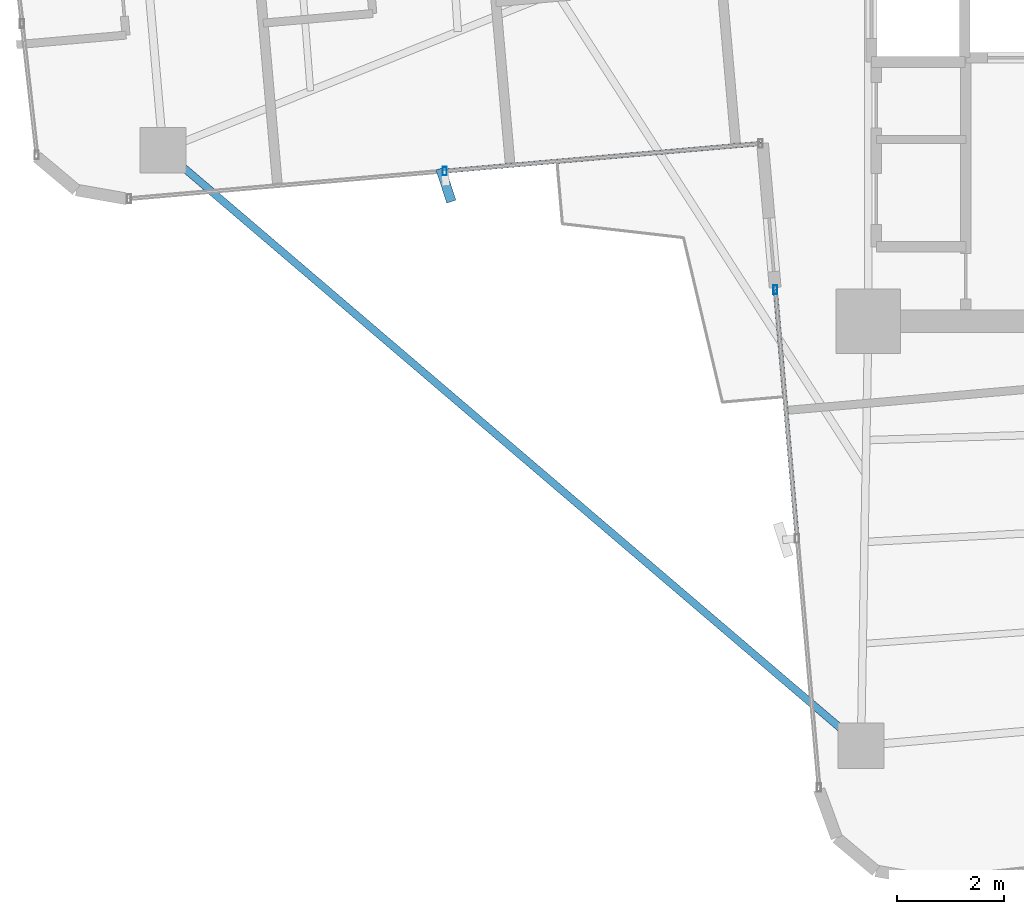
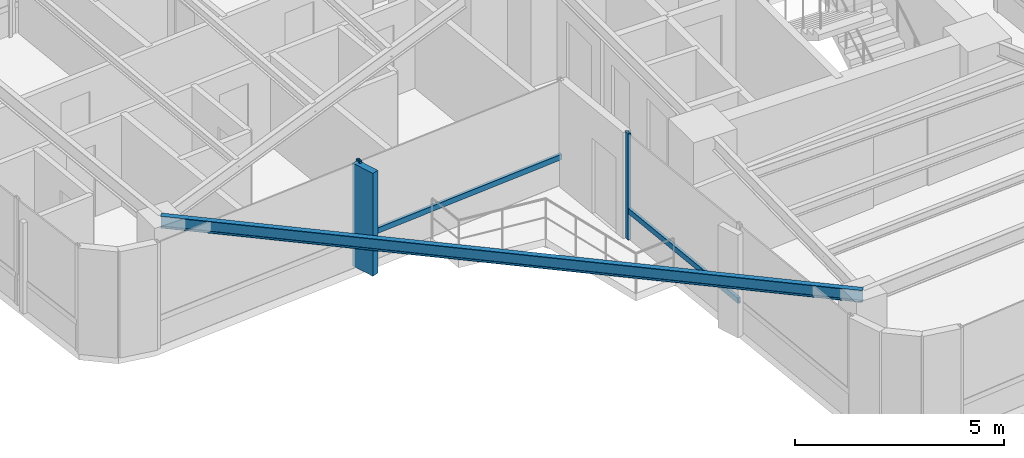
# One storey, part 4 of 24: 5 members, 1 beam, 2 elements without a shape of their own.
"""IFC4 building model written with IfcOpenShell, lengths in metres."""

from ifc_helpers import new_model, si_unit, direction, frame, origin, origin_2d, place, context, subcontext, project, spatial, rectangle, hollow_rectangle, i_section, extrude, source, transform, mapped, material, material_profile, profile_set, type_object, element, aggregate, save


model = new_model("IFC4")

# Units and contexts
model_context = context("Model", 3, precision=1e-05, world=origin(), true_north=direction((0.0, 1.0)))
body_context = subcontext(model_context, "Body", "Model", "MODEL_VIEW")
ifc_project = project(units=[si_unit("LENGTHUNIT", "METRE"), si_unit("AREAUNIT", "SQUARE_METRE"), si_unit("VOLUMEUNIT", "CUBIC_METRE"), si_unit("PLANEANGLEUNIT", "RADIAN"), si_unit("MASSUNIT", "GRAM", prefix="KILO")], contexts=[model_context])

# Site, building, storey
site_placement = place(None, origin())
site = spatial("IfcSite", under=ifc_project, at=site_placement, CompositionType="ELEMENT")
building_placement = place(site_placement, origin())
building = spatial("IfcBuilding", under=site, at=building_placement, Name="Sahyath Konkavel Grand Hotel", CompositionType="ELEMENT")
storey_placement = place(building_placement, frame((0.0, 0.0, 178.550048828125)))
storey = spatial("IfcBuildingStorey", under=building, at=storey_placement, Name="L49", CompositionType="ELEMENT", Elevation=178.550048828125)

# Beam
ifc_material_1 = material(Name="Steel E350", Category="steel")
ifc_material_profile_1 = material_profile(ifc_material_1, i_section(OverallWidth=0.139892578125, OverallDepth=0.35009765625, WebThickness=0.008056640625, FlangeThickness=0.01416015625, FilletRadius=0.013916015625, at=origin_2d()), Name="ISMB 350")
ifc_profile_set_1 = profile_set([ifc_material_profile_1], Name="Steel E350")
beam_type = type_object("IfcBeamType", Name="BM-ISMB350", PredefinedType="BEAM", material=ifc_profile_set_1)
shared_shape_1 = source(origin(), body_context, "Body", "SweptSolid", [
    extrude(i_section(OverallWidth=0.139892578125, OverallDepth=0.35009765625, WebThickness=0.008056640625, FlangeThickness=0.01416015625, FilletRadius=0.013916015625, at=origin_2d()), origin(), (0.0, 0.0, 1.0), 17.11279296875),
])
beam_placement = place(storey_placement, frame((-16.9541015625, -7.00439453125, 2.93505859375), z_axis=(0.760711911164, -0.649089661151, 0.0), x_axis=(0.649089661151, 0.760711911164, 0.0)))
element("IfcBeam", 1, at=beam_placement, inside=storey, type_object=beam_type, Name="L49 Re-Entrant Tie Beam SW", PredefinedType="BEAM", context=body_context, shape_type="MappedRepresentation", body=[
    mapped(shared_shape_1, transform((0.0, 0.0, 0.0), scale=1.0)),
])

# Curtain wall, member
ifc_material_2 = material(Name="Anodised Bronze Aluminium & Low-E Glazing", Category="aluminium")
curtain_wall_type = type_object("IfcCurtainWallType", Name="CW-ZONE3", PredefinedType="NOTDEFINED", material=ifc_material_2)
curtain_wall_1_placement = place(storey_placement, origin())
curtain_wall_1 = element("IfcCurtainWall", 2, at=curtain_wall_1_placement, inside=storey, type_object=curtain_wall_type, Name="L49 Unitised Curtain Wall F23", PredefinedType="NOTDEFINED")
ifc_material_3 = material(Name="Anodised Bronze Aluminium", Category="aluminium")
ifc_material_profile_2 = material_profile(ifc_material_3, hollow_rectangle(XDim=0.080078125, YDim=0.159912109375, WallThickness=0.006103515625, at=origin_2d()), Name="RHS 160x80x6")
ifc_profile_set_2 = profile_set([ifc_material_profile_2], Name="Anodised Bronze Aluminium")
member_type_1 = type_object("IfcMemberType", Name="CW-MUL-160", PredefinedType="MULLION", material=ifc_profile_set_2)
shared_shape_2 = source(origin(), body_context, "Body", "SweptSolid", [
    extrude(hollow_rectangle(XDim=0.080078125, YDim=0.159912109375, WallThickness=0.006103515625, at=origin_2d()), origin(), (0.0, 0.0, 1.0), 3.10986328125),
])
member_1_placement = place(storey_placement, frame((-11.69970703125, -7.39794921875, 0.0), z_axis=(0.0, 0.0, 1.0), x_axis=(1.0, 0.0, 0.0)))
member_1 = element("IfcMember", 3, at=member_1_placement, type_object=member_type_1, Name="L49 Curtain Wall Mullion F23-1", PredefinedType="MULLION", context=body_context, shape_type="MappedRepresentation", body=[
    mapped(shared_shape_2, transform((0.0, 0.0, 0.0), scale=1.0)),
])

curtain_wall_2_placement = place(storey_placement, origin())
curtain_wall_2 = element("IfcCurtainWall", 4, at=curtain_wall_2_placement, inside=storey, type_object=curtain_wall_type, Name="L49 Unitised Curtain Wall F24", PredefinedType="NOTDEFINED")
member_2_placement = place(storey_placement, frame((-5.53369140625, -9.60888671875, 0.0), z_axis=(0.0, 0.0, 1.0), x_axis=(1.0, 0.0, 0.0)))
member_2 = element("IfcMember", 5, at=member_2_placement, type_object=member_type_1, Name="L49 Curtain Wall Mullion F24-0", PredefinedType="MULLION", context=body_context, shape_type="MappedRepresentation", body=[
    mapped(shared_shape_2, transform((0.0, 0.0, 0.0), scale=1.0)),
])

# Member
ifc_material_4 = material(Name="Warm Buff Sandstone Cladding on Concrete C50/60", Category="masonry")
ifc_material_profile_3 = material_profile(ifc_material_4, rectangle(XDim=0.179931640625, YDim=0.64990234375, at=origin_2d()), Name="FIN 180x650")
ifc_profile_set_3 = profile_set([ifc_material_profile_3], Name="Warm Buff Sandstone Cladding on Concrete C50/60")
member_type_2 = type_object("IfcMemberType", Name="FIN-SANDSTONE-650", PredefinedType="MULLION", material=ifc_profile_set_3)
shared_shape_3 = source(origin(), body_context, "Body", "SweptSolid", [
    extrude(rectangle(XDim=0.179931640625, YDim=0.64990234375, at=origin_2d()), origin(), (0.0, 0.0, 1.0), 3.010009765625),
])
member_3_placement = place(storey_placement, frame((-11.677001953125, -7.656982421875, 0.050048828125), z_axis=(0.0, 0.0, 1.0), x_axis=(0.951487058208, 0.307688768178, 0.0)))
member_3 = element("IfcMember", 6, at=member_3_placement, type_object=member_type_2, Name="L49 Sandstone Vertical Solar Fin FIN F23-1", PredefinedType="MULLION", context=body_context, shape_type="MappedRepresentation", body=[
    mapped(shared_shape_3, transform((0.0, 0.0, 0.0), scale=1.0)),
])

ifc_material_profile_4 = material_profile(ifc_material_3, hollow_rectangle(XDim=0.080078125, YDim=0.159912109375, WallThickness=0.006103515625, at=origin_2d()), Name="RHS 160x80x6")
ifc_profile_set_4 = profile_set([ifc_material_profile_4], Name="Anodised Bronze Aluminium")
member_type_3 = type_object("IfcMemberType", Name="CW-TRN-160", PredefinedType="USERDEFINED", material=ifc_profile_set_4)
shared_shape_4 = source(origin(), body_context, "Body", "SweptSolid", [
    extrude(hollow_rectangle(XDim=0.080078125, YDim=0.159912109375, WallThickness=0.006103515625, at=origin_2d()), origin(), (0.0, 0.0, 1.0), 5.909912109375),
])
member_4_placement = place(storey_placement, frame((-11.69970703125, -7.39794921875, 0.849853515625), z_axis=(0.996193941691, 0.087164388014, 0.0), x_axis=(-0.087164388014, 0.996193941691, 0.0)))
member_4 = element("IfcMember", 7, at=member_4_placement, type_object=member_type_3, Name="L49 Curtain Wall Transom F23-1-spandrel", ObjectType="TRANSOM", PredefinedType="USERDEFINED", context=body_context, shape_type="MappedRepresentation", body=[
    mapped(shared_shape_4, transform((0.0, 0.0, 0.0), scale=1.0)),
])

aggregate(curtain_wall_1, [member_1, member_3, member_4])

shared_shape_5 = source(origin(), body_context, "Body", "SweptSolid", [
    extrude(hollow_rectangle(XDim=0.080078125, YDim=0.159912109375, WallThickness=0.006103515625, at=origin_2d()), origin(), (0.0, 0.0, 1.0), 4.66015625),
])
member_5_placement = place(storey_placement, frame((-5.53369140625, -9.60888671875, 0.849853515625), z_axis=(0.087176698736, -0.996192864458, 0.0), x_axis=(0.996192864458, 0.087176698736, 0.0)))
member_5 = element("IfcMember", 8, at=member_5_placement, type_object=member_type_3, Name="L49 Curtain Wall Transom F24-0-spandrel", ObjectType="TRANSOM", PredefinedType="USERDEFINED", context=body_context, shape_type="MappedRepresentation", body=[
    mapped(shared_shape_5, transform((0.0, 0.0, 0.0), scale=1.0)),
])

aggregate(curtain_wall_2, [member_2, member_5])

save(model, "model.ifc")
